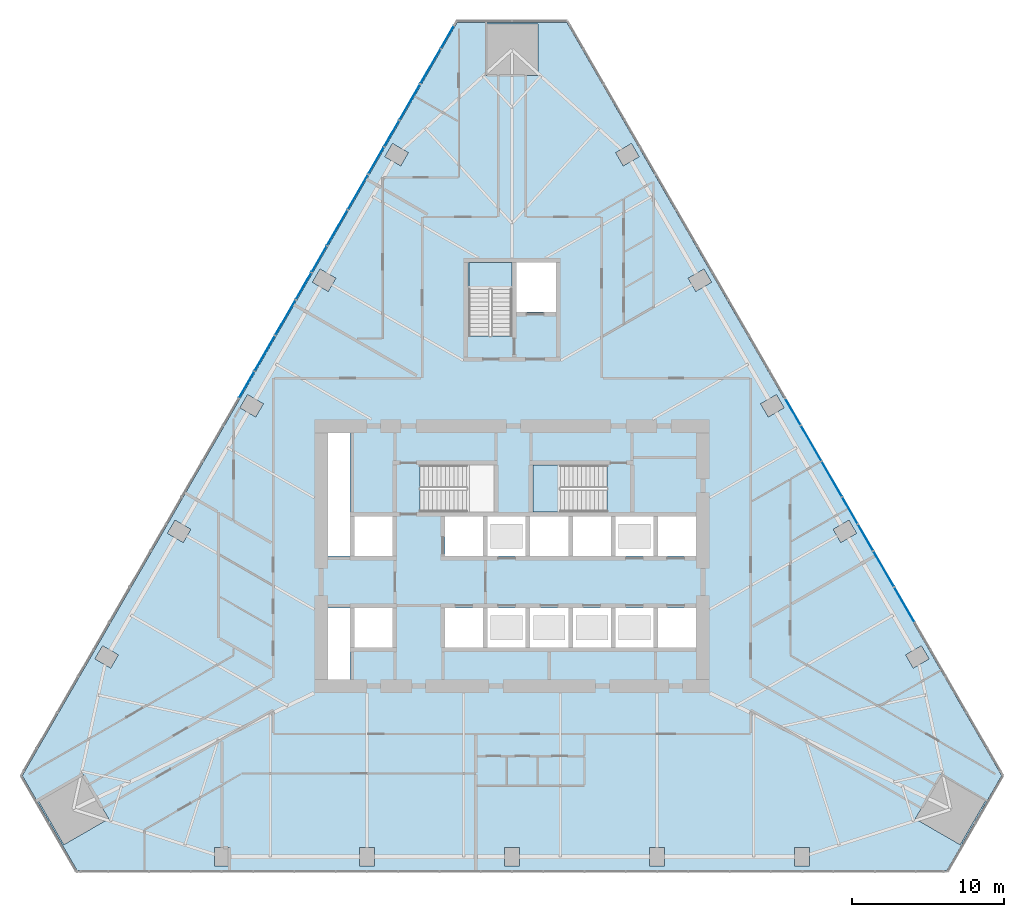
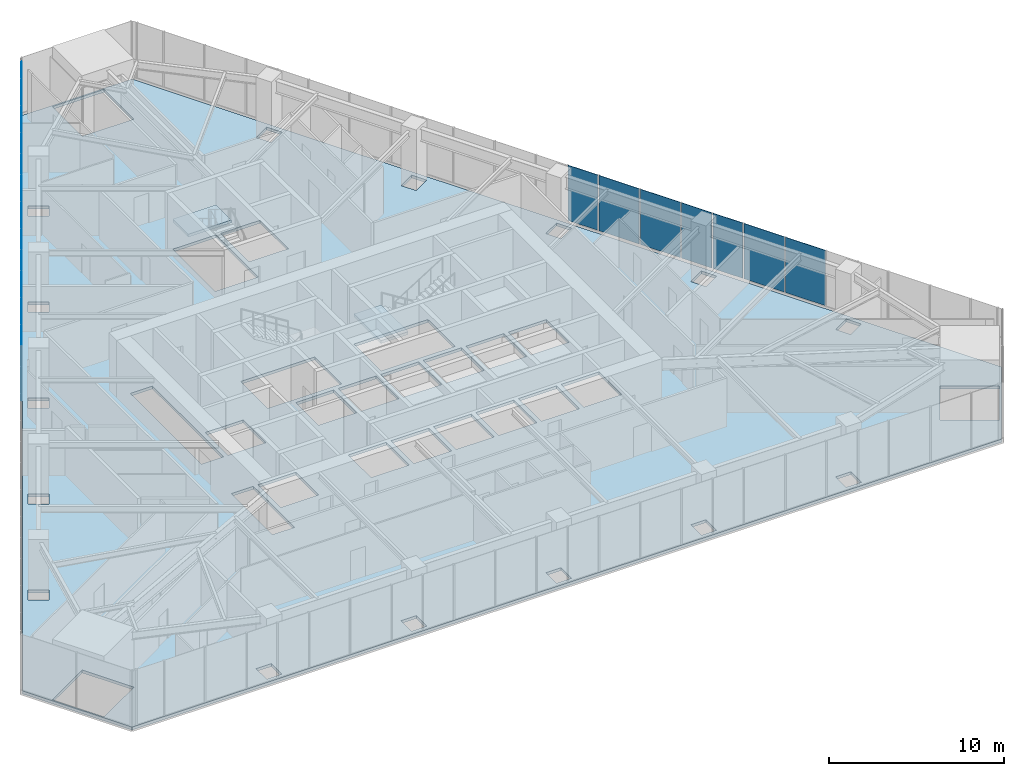
# One storey, part 16 of 26: 19 plates, 3 slabs, 4 elements without a shape of their own.
"""IFC4 building model written with IfcOpenShell, lengths in metres."""

import ifcopenshell
import ifcopenshell.guid

model = None  # the IFC model being written
_history = None  # IfcOwnerHistory: only IFC2X3 demands one
_inside = {}  # id of a spatial element -> (the spatial element, [elements in it])
_under = {}  # id of a project, library or spatial element -> (it, [spatial elements below it])
_declared = {}  # id of a project -> (the project, [libraries it declares])
_typed = {}  # id of a type object -> (the type object, [elements of that type])
_made_of = {}  # id of a material, layer set ... -> (it, [elements and type objects made of it])


def new_model(schema):
    """Start an empty IFC model of exactly this schema.

    Asked for "IFC4X3", IfcOpenShell would pick the latest addendum, in which some entities
    have other attributes; the version numbers below select the first issue.
    IFC2X3 requires an IfcOwnerHistory on every rooted entity: one is made here for all.
    """
    global model, _history
    if schema == "IFC4X3":
        model = ifcopenshell.file(schema_version=(4, 3, 0, 0))
    else:
        model = ifcopenshell.file(schema=schema)
    _inside.clear()
    _under.clear()
    _declared.clear()
    _typed.clear()
    _made_of.clear()
    _history = None
    if model.schema == "IFC2X3":
        org = make("IfcOrganization", Name="unknown")
        user = make(
            "IfcPersonAndOrganization",
            ThePerson=make("IfcPerson", FamilyName="unknown"),
            TheOrganization=org,
        )
        app = make(
            "IfcApplication",
            ApplicationDeveloper=org,
            Version="unknown",
            ApplicationFullName="unknown",
            ApplicationIdentifier="unknown",
        )
        _history = make(
            "IfcOwnerHistory",
            OwningUser=user,
            OwningApplication=app,
            ChangeAction="ADDED",
            CreationDate=0,
        )
    return model


def make(cls, **values):
    """One entity of the class cls with the attributes given. An attribute that is None is left unset."""
    return model.create_entity(
        cls, **{name: value for name, value in values.items() if value is not None}
    )


def rooted(cls, **values):
    """An entity with a GlobalId (a new one), such as an element, a storey or a relation."""
    return make(cls, GlobalId=ifcopenshell.guid.new(), OwnerHistory=_history, **values)


def si_unit(unit_type, name, prefix=None):
    """IfcSIUnit, for example si_unit("LENGTHUNIT", "METRE", prefix="MILLI")."""
    return make("IfcSIUnit", UnitType=unit_type, Prefix=prefix, Name=name)


def assignment(units):
    """IfcUnitAssignment: the units of a project."""
    return None if units is None else make("IfcUnitAssignment", Units=units)


def point(xyz):
    """IfcCartesianPoint."""
    return None if xyz is None else make("IfcCartesianPoint", Coordinates=xyz)


def direction(xyz):
    """IfcDirection."""
    return None if xyz is None else make("IfcDirection", DirectionRatios=xyz)


def frame(location, z_axis=None, x_axis=None):
    """IfcAxis2Placement3D, a coordinate frame: its origin and axes. An axis left out is left unset."""
    return make(
        "IfcAxis2Placement3D",
        Location=point(location),
        Axis=direction(z_axis),
        RefDirection=direction(x_axis),
    )


def origin():
    """The frame at (0, 0, 0) with its axes left unset."""
    return frame((0.0, 0.0, 0.0))


def place(relative_to, where):
    """IfcLocalPlacement: puts the frame where relative to a parent placement (None: the world)."""
    return make(
        "IfcLocalPlacement", PlacementRelTo=relative_to, RelativePlacement=where
    )


def context(
    kind, dimensions, precision=None, world=None, true_north=None, identifier=None
):
    """IfcGeometricRepresentationContext, for example the 3D "Model" context."""
    return make(
        "IfcGeometricRepresentationContext",
        ContextIdentifier=identifier,
        ContextType=kind,
        CoordinateSpaceDimension=dimensions,
        Precision=precision,
        WorldCoordinateSystem=world,
        TrueNorth=true_north,
    )


def subcontext(parent, identifier, kind, view, scale=None):
    """IfcGeometricRepresentationSubContext, for example "Body" below "Model"."""
    return make(
        "IfcGeometricRepresentationSubContext",
        ContextIdentifier=identifier,
        ContextType=kind,
        ParentContext=parent,
        TargetScale=scale,
        TargetView=view,
    )


def project(units=None, contexts=None):
    """IfcProject with its units and contexts."""
    return rooted(
        "IfcProject",
        Name="project",
        RepresentationContexts=contexts,
        UnitsInContext=assignment(units),
    )


def spatial(cls, under=None, at=None, **own):
    """A site, building, storey or space (cls), placed at a placement, below another one or the project."""
    s = rooted(cls, ObjectPlacement=at, **own)
    if under is not None:
        _under.setdefault(under.id(), (under, []))[1].append(s)
    return s


def polyline(points):
    """IfcPolyline through the points."""
    return make("IfcPolyline", Points=[point(p) for p in points])


def outline(outer, holes=None, kind="AREA"):
    """IfcArbitraryClosedProfileDef: a profile drawn as a closed curve; with holes, ...WithVoids."""
    if holes is None:
        return make("IfcArbitraryClosedProfileDef", ProfileType=kind, OuterCurve=outer)
    return make(
        "IfcArbitraryProfileDefWithVoids",
        ProfileType=kind,
        OuterCurve=outer,
        InnerCurves=holes,
    )


def extrude(swept, where, along, depth):
    """IfcExtrudedAreaSolid: the profile swept, set in the frame where, extruded along a direction by depth."""
    return make(
        "IfcExtrudedAreaSolid",
        SweptArea=swept,
        Position=where,
        ExtrudedDirection=direction(along),
        Depth=depth,
    )


def shape(context_of_items, identifier, shape_type, items):
    """IfcShapeRepresentation: the items that make up one representation, for example the "Body"."""
    return make(
        "IfcShapeRepresentation",
        ContextOfItems=context_of_items,
        RepresentationIdentifier=identifier,
        RepresentationType=shape_type,
        Items=items,
    )


def material(Name=None, Category=None):
    """IfcMaterial."""
    return make("IfcMaterial", Name=Name, Category=Category)


def layer(
    of_material, thickness, ventilated=None, Name=None, Category=None, Priority=None
):
    """IfcMaterialLayer: one layer of a wall or slab, of a material (None: an air gap)."""
    return make(
        "IfcMaterialLayer",
        Material=of_material,
        LayerThickness=thickness,
        IsVentilated=ventilated,
        Name=Name,
        Category=Category,
        Priority=Priority,
    )


def layer_set(layers, Name=None):
    """IfcMaterialLayerSet."""
    return make("IfcMaterialLayerSet", MaterialLayers=layers, LayerSetName=Name)


def made_of(thing, what):
    """Note that an element or type object is made of a material, layer set ...; save() writes the relation."""
    if what is not None:
        _made_of.setdefault(what.id(), (what, []))[1].append(thing)
    return thing


def type_object(cls, material=None, **own):
    """A type object (cls), such as IfcWallType, which elements share."""
    return made_of(rooted(cls, **own), material)


def element(
    cls,
    number,
    at=None,
    inside=None,
    cuts=None,
    type_object=None,
    material=None,
    context=None,
    identifier="Body",
    shape_type=None,
    held_by="IfcProductDefinitionShape",
    body=None,
    shapes=None,
    **own,
):
    """One element of the class cls, such as IfcWall. Its Tag is "e" and its number.

    at: its placement. inside: the storey or other place that contains it. cuts: it is an
    opening in that element (IfcRelVoidsElement). A single representation is given by context,
    identifier, shape_type and body (its items); several are given by shapes. held_by: the class
    of the entity that holds the representations. save() writes the other relations.
    """
    e = rooted(cls, Tag="e%d" % number, ObjectPlacement=at, **own)
    if body is not None:
        shapes = [shape(context, identifier, shape_type, body)]
    if shapes is not None:
        e.Representation = make(held_by, Representations=shapes)
    if inside is not None:
        _inside.setdefault(inside.id(), (inside, []))[1].append(e)
    if cuts is not None:
        rooted(
            "IfcRelVoidsElement", RelatingBuildingElement=cuts, RelatedOpeningElement=e
        )
    if type_object is not None:
        _typed.setdefault(type_object.id(), (type_object, []))[1].append(e)
    return made_of(e, material)


def aggregate(whole, parts):
    """IfcRelAggregates: a whole, such as a stair, and the parts it consists of."""
    return rooted("IfcRelAggregates", RelatingObject=whole, RelatedObjects=parts)


def save(model, path):
    """Write the relations noted so far, then the file.

    IfcRelAggregates (storeys below a building ...), IfcRelContainedInSpatialStructure (elements
    in a storey), IfcRelDefinesByType, IfcRelAssociatesMaterial and IfcRelDeclares: one each for
    every whole, place, type object, material and project.
    """
    for whole, parts in _under.values():
        aggregate(whole, parts)
    for where, things in _inside.values():
        rooted(
            "IfcRelContainedInSpatialStructure",
            RelatedElements=things,
            RelatingStructure=where,
        )
    for kind, things in _typed.values():
        rooted("IfcRelDefinesByType", RelatedObjects=things, RelatingType=kind)
    for what, things in _made_of.values():
        rooted("IfcRelAssociatesMaterial", RelatedObjects=things, RelatingMaterial=what)
    for by, libraries in _declared.values():
        rooted("IfcRelDeclares", RelatingContext=by, RelatedDefinitions=libraries)
    model.write(path)


model = new_model("IFC4")

# Units and contexts
model_context = context("Model", 3, precision=1e-05, world=origin(), true_north=direction((0.0, 1.0)))
body_context = subcontext(model_context, "Body", "Model", "MODEL_VIEW")
ifc_project = project(units=[si_unit("LENGTHUNIT", "METRE"), si_unit("AREAUNIT", "SQUARE_METRE"), si_unit("VOLUMEUNIT", "CUBIC_METRE"), si_unit("PLANEANGLEUNIT", "RADIAN"), si_unit("MASSUNIT", "GRAM", prefix="KILO")], contexts=[model_context])

# Site, building, storey
site_placement = place(None, origin())
site = spatial("IfcSite", under=ifc_project, at=site_placement, CompositionType="ELEMENT")
building_placement = place(site_placement, origin())
building = spatial("IfcBuilding", under=site, at=building_placement, Name="Firuza Gate Tower and Library", CompositionType="ELEMENT")
storey_placement = place(building_placement, frame((0.0, 0.0, 65.199951171875)))
storey = spatial("IfcBuildingStorey", under=building, at=storey_placement, Name="L14", CompositionType="ELEMENT", Elevation=65.199951171875)

# Slab
ifc_material_1 = material(Name="Concrete C40/50", Category="concrete")
ifc_layer_1 = layer(ifc_material_1, 0.199951171875)
ifc_layer_set_1 = layer_set([ifc_layer_1], Name="Composite floor slab 200 C40/50")
slab_type_1 = type_object("IfcSlabType", Name="Composite floor slab 200 C40/50", PredefinedType="FLOOR", material=ifc_layer_set_1)
slab_1_placement = place(storey_placement, frame((0.0, 0.0, -0.199951171875)))
element("IfcSlab", 1, at=slab_1_placement, inside=storey, type_object=slab_type_1, Name="Floor slab L14", PredefinedType="FLOOR", context=body_context, shape_type="SweptSolid", body=[
    extrude(outline(polyline([(42.796630859375, 60.564208984375), (46.396728515625, 54.328857421875), (103.603271484375, 54.328857421875), (107.203369140625, 60.564208984375), (78.60009765625, 110.106689453125), (71.39990234375, 110.106689453125), (42.796630859375, 60.564208984375)]), holes=[polyline([(55.43115234375, 54.62890625), (55.43115234375, 55.828857421875), (56.43115234375, 55.828857421875), (56.43115234375, 54.62890625), (55.43115234375, 54.62890625)]), polyline([(64.965576171875, 54.62890625), (64.965576171875, 55.828857421875), (65.965576171875, 55.828857421875), (65.965576171875, 54.62890625), (64.965576171875, 54.62890625)]), polyline([(43.833251953125, 58.96875), (46.77783203125, 60.6689453125), (48.477783203125, 57.724365234375), (45.533203125, 56.0244140625), (43.833251953125, 58.96875)]), polyline([(48.07373046875, 69.1044921875), (49.11279296875, 68.50439453125), (48.61279296875, 67.638427734375), (47.57373046875, 68.23828125), (48.07373046875, 69.1044921875)]), polyline([(64.35009765625, 66.89990234375), (62.89990234375, 66.89990234375), (62.89990234375, 71.60009765625), (64.35009765625, 71.60009765625), (64.35009765625, 66.89990234375)]), polyline([(75.89990234375, 69.0), (73.39990234375, 69.0), (73.39990234375, 71.60009765625), (75.89990234375, 71.60009765625), (75.89990234375, 69.0)]), polyline([(73.10009765625, 69.0), (70.60009765625, 69.0), (70.60009765625, 71.60009765625), (73.10009765625, 71.60009765625), (73.10009765625, 69.0)]), polyline([(64.64990234375, 69.0), (64.64990234375, 71.60009765625), (67.14990234375, 71.60009765625), (67.14990234375, 69.0), (64.64990234375, 69.0)]), polyline([(64.64990234375, 75.0), (64.64990234375, 77.60009765625), (67.14990234375, 77.60009765625), (67.14990234375, 75.0), (64.64990234375, 75.0)]), polyline([(75.89990234375, 75.0), (73.39990234375, 75.0), (73.39990234375, 77.60009765625), (75.89990234375, 77.60009765625), (75.89990234375, 75.0)]), polyline([(73.10009765625, 75.0), (70.60009765625, 75.0), (70.60009765625, 77.60009765625), (73.10009765625, 77.60009765625), (73.10009765625, 75.0)]), polyline([(52.8408203125, 77.361572265625), (53.880126953125, 76.761474609375), (53.380126953125, 75.8955078125), (52.3408203125, 76.495361328125), (52.8408203125, 77.361572265625)]), polyline([(62.89990234375, 75.0), (62.89990234375, 83.10009765625), (64.35009765625, 83.10009765625), (64.35009765625, 75.0), (62.89990234375, 75.0)]), polyline([(68.9404296875, 77.89990234375), (68.9404296875, 80.97998046875), (73.81005859375, 80.97998046875), (73.81005859375, 77.89990234375), (68.9404296875, 77.89990234375)]), polyline([(57.608154296875, 85.61865234375), (58.6474609375, 85.0185546875), (58.1474609375, 84.152587890625), (57.108154296875, 84.75244140625), (57.608154296875, 85.61865234375)]), polyline([(72.159912109375, 89.470458984375), (72.159912109375, 94.300048828125), (75.0, 94.300048828125), (75.0, 89.470458984375), (72.159912109375, 89.470458984375)]), polyline([(62.375244140625, 93.875732421875), (63.41455078125, 93.275634765625), (62.91455078125, 92.40966796875), (61.875244140625, 93.009521484375), (62.375244140625, 93.875732421875)]), polyline([(68.181884765625, 101.53271484375), (67.681884765625, 100.666748046875), (66.642578125, 101.2666015625), (67.142578125, 102.1328125), (68.181884765625, 101.53271484375)]), polyline([(76.699951171875, 106.606689453125), (73.300048828125, 106.606689453125), (73.300048828125, 110.0068359375), (76.699951171875, 110.0068359375), (76.699951171875, 106.606689453125)]), polyline([(93.56884765625, 54.62890625), (93.56884765625, 55.828857421875), (94.56884765625, 55.828857421875), (94.56884765625, 54.62890625), (93.56884765625, 54.62890625)]), polyline([(74.5, 54.62890625), (74.5, 55.828857421875), (75.5, 55.828857421875), (75.5, 54.62890625), (74.5, 54.62890625)]), polyline([(84.034423828125, 54.62890625), (84.034423828125, 55.828857421875), (85.034423828125, 55.828857421875), (85.034423828125, 54.62890625), (84.034423828125, 54.62890625)]), polyline([(104.466796875, 56.0244140625), (101.522216796875, 57.724365234375), (103.22216796875, 60.6689453125), (106.166748046875, 58.96875), (104.466796875, 56.0244140625)]), polyline([(102.42626953125, 68.23828125), (101.38720703125, 67.638427734375), (100.88720703125, 68.50439453125), (101.92626953125, 69.1044921875), (102.42626953125, 68.23828125)]), polyline([(78.699951171875, 69.0), (76.199951171875, 69.0), (76.199951171875, 71.60009765625), (78.699951171875, 71.60009765625), (78.699951171875, 69.0)]), polyline([(81.5, 69.0), (79.0, 69.0), (79.0, 71.60009765625), (81.5, 71.60009765625), (81.5, 69.0)]), polyline([(84.60009765625, 69.0), (84.60009765625, 71.60009765625), (87.10009765625, 71.60009765625), (87.10009765625, 69.0), (84.60009765625, 69.0)]), polyline([(81.800048828125, 69.0), (81.800048828125, 71.60009765625), (84.300048828125, 71.60009765625), (84.300048828125, 69.0), (81.800048828125, 69.0)]), polyline([(84.300048828125, 75.0), (81.800048828125, 75.0), (81.800048828125, 77.60009765625), (84.300048828125, 77.60009765625), (84.300048828125, 75.0)]), polyline([(87.10009765625, 75.0), (84.60009765625, 75.0), (84.60009765625, 77.60009765625), (87.10009765625, 77.60009765625), (87.10009765625, 75.0)]), polyline([(81.5, 75.0), (79.0, 75.0), (79.0, 77.60009765625), (81.5, 77.60009765625), (81.5, 75.0)]), polyline([(76.199951171875, 75.0), (76.199951171875, 77.60009765625), (78.699951171875, 77.60009765625), (78.699951171875, 75.0), (76.199951171875, 75.0)]), polyline([(96.619873046875, 75.8955078125), (96.119873046875, 76.761474609375), (97.1591796875, 77.361572265625), (97.6591796875, 76.495361328125), (96.619873046875, 75.8955078125)]), polyline([(81.259521484375, 77.89990234375), (76.389892578125, 77.89990234375), (76.389892578125, 80.97998046875), (81.259521484375, 80.97998046875), (81.259521484375, 77.89990234375)]), polyline([(92.891845703125, 84.75244140625), (91.8525390625, 84.152587890625), (91.3525390625, 85.0185546875), (92.391845703125, 85.61865234375), (92.891845703125, 84.75244140625)]), polyline([(77.89990234375, 91.050048828125), (75.300048828125, 91.050048828125), (75.300048828125, 94.300048828125), (77.89990234375, 94.300048828125), (77.89990234375, 91.050048828125)]), polyline([(87.08544921875, 92.40966796875), (86.58544921875, 93.275634765625), (87.624755859375, 93.875732421875), (88.124755859375, 93.009521484375), (87.08544921875, 92.40966796875)]), polyline([(82.318115234375, 100.666748046875), (81.818115234375, 101.53271484375), (82.857421875, 102.1328125), (83.357421875, 101.2666015625), (82.318115234375, 100.666748046875)])]), origin(), (0.0, 0.0, 1.0), 0.199951171875),
])

# Curtain wall, plates
ifc_material_2 = material(Name="Aluminium 6063-T6", Category="aluminium")
ifc_layer_2 = layer(ifc_material_2, 0.14990234375)
ifc_layer_set_2 = layer_set([ifc_layer_2], Name="Unitised curtain wall, offices")
curtain_wall_type = type_object("IfcCurtainWallType", Name="Unitised curtain wall, offices", PredefinedType="NOTDEFINED", material=ifc_layer_set_2)
placement_1 = place(storey_placement, origin())
curtain_wall_1 = element("IfcCurtainWall", 2, at=placement_1, inside=storey, type_object=curtain_wall_type, Name="CW1 L14 E face", PredefinedType="NOTDEFINED")
ifc_material_3 = material(Name="Fritted glass", Category="glass")
ifc_layer_3 = layer(ifc_material_3, 0.030029296875)
ifc_layer_set_3 = layer_set([ifc_layer_3], Name="Fritted glass unit, offices")
plate_type_1 = type_object("IfcPlateType", Name="Fritted glass unit, offices", PredefinedType="CURTAIN_PANEL", material=ifc_layer_set_3)
plate_1_placement = place(storey_placement, frame((98.751708984375, 75.383056640625, 0.150146484375), z_axis=(0.866052515552, 0.499953038101, 0.0), x_axis=(-0.499953038101, 0.866052515552, 0.0)))
plate_1 = element("IfcPlate", 3, at=plate_1_placement, type_object=plate_type_1, Name="Glass unit", PredefinedType="CURTAIN_PANEL", context=body_context, shape_type="SweptSolid", body=[
    extrude(outline(polyline([(0.0, 0.0), (1.9552617706112319, 0.0), (1.9552617706112319, 3.849853515625), (0.0, 3.849853515625), (0.0, 0.0)])), origin(), (0.0, 0.0, -1.0), 0.030029296875),
])
plate_2_placement = place(storey_placement, frame((97.734130859375, 77.1455078125, 0.150146484375), z_axis=(0.866023728021, 0.500002902497, 0.0), x_axis=(-0.500002902497, 0.866023728021, 0.0)))
plate_2 = element("IfcPlate", 4, at=plate_2_placement, type_object=plate_type_1, Name="Glass unit", PredefinedType="CURTAIN_PANEL", context=body_context, shape_type="SweptSolid", body=[
    extrude(outline(polyline([(0.0, 0.0), (1.984363480782303, 0.0), (1.984363480782303, 3.849853515625), (0.0, 3.849853515625), (0.0, 0.0)])), origin(), (0.0, 0.0, -1.0), 0.030029296875),
])
plate_3_placement = place(storey_placement, frame((93.984375, 83.64013671875, 0.150146484375), z_axis=(0.866022523296, 0.500004989119, 0.0), x_axis=(-0.500004989119, 0.866022523296, 0.0)))
plate_3 = element("IfcPlate", 5, at=plate_3_placement, type_object=plate_type_1, Name="Glass unit", PredefinedType="CURTAIN_PANEL", context=body_context, shape_type="SweptSolid", body=[
    extrude(outline(polyline([(0.0, 0.0), (1.969706908294862, 0.0), (1.969706908294862, 3.849853515625), (0.0, 3.849853515625), (0.0, 0.0)])), origin(), (0.0, 0.0, -1.0), 0.030029296875),
])

curtain_wall_2 = element("IfcCurtainWall", 6, at=placement_1, inside=storey, type_object=curtain_wall_type, Name="CW1 L14 W face", PredefinedType="NOTDEFINED")
plate_4_placement = place(storey_placement, frame((71.158203125, 109.867919921875, 0.150146484375), z_axis=(-0.865992196602, 0.500057512117, 0.0), x_axis=(-0.500057512117, -0.865992196602, 0.0)))
plate_4 = element("IfcPlate", 7, at=plate_4_placement, type_object=plate_type_1, Name="Glass unit", PredefinedType="CURTAIN_PANEL", context=body_context, shape_type="SweptSolid", body=[
    extrude(outline(polyline([(0.0, 0.0), (1.6819354429125748, 0.0), (1.6819354429125748, 3.849853515625), (0.0, 3.849853515625), (0.0, 0.0)])), origin(), (0.0, 0.0, -1.0), 0.030029296875),
])
plate_5_placement = place(storey_placement, frame((67.5595703125, 103.63525390625, 0.150146484375), z_axis=(-0.866082951075, 0.49990031192, 0.0), x_axis=(-0.49990031192, -0.866082951075, 0.0)))
plate_5 = element("IfcPlate", 8, at=plate_5_placement, type_object=plate_type_1, Name="Glass unit", PredefinedType="CURTAIN_PANEL", context=body_context, shape_type="SweptSolid", body=[
    extrude(outline(polyline([(0.0, 0.0), (1.9408166400682352, 0.0), (1.9408166400682352, 3.849853515625), (0.0, 3.849853515625), (0.0, 0.0)])), origin(), (0.0, 0.0, -1.0), 0.030029296875),
])
plate_6_placement = place(storey_placement, frame((66.54931640625, 101.885009765625, 0.150146484375), z_axis=(-0.866016731412, 0.500015020689, 0.0), x_axis=(-0.500015020689, -0.866016731412, 0.0)))
plate_6 = element("IfcPlate", 9, at=plate_6_placement, type_object=plate_type_1, Name="Glass unit", PredefinedType="CURTAIN_PANEL", context=body_context, shape_type="SweptSolid", body=[
    extrude(outline(polyline([(0.0, 0.0), (1.9984751193015504, 0.0), (1.9984751193015504, 3.849853515625), (0.0, 3.849853515625), (0.0, 0.0)])), origin(), (0.0, 0.0, -1.0), 0.030029296875),
])
plate_7_placement = place(storey_placement, frame((62.79248046875, 95.378173828125, 0.150146484375), z_axis=(-0.865998449813, 0.500046682742, 0.0), x_axis=(-0.500046682742, -0.865998449813, 0.0)))
plate_7 = element("IfcPlate", 10, at=plate_7_placement, type_object=plate_type_1, Name="Glass unit", PredefinedType="CURTAIN_PANEL", context=body_context, shape_type="SweptSolid", body=[
    extrude(outline(polyline([(0.0, 0.0), (1.9553838408900117, 0.0), (1.9553838408900117, 3.849853515625), (0.0, 3.849853515625), (0.0, 0.0)])), origin(), (0.0, 0.0, -1.0), 0.030029296875),
])
plate_8_placement = place(storey_placement, frame((61.77490234375, 93.615478515625, 0.150146484375), z_axis=(-0.865992964694, 0.500056181943, 0.0), x_axis=(-0.500056181943, -0.865992964694, 0.0)))
plate_8 = element("IfcPlate", 11, at=plate_8_placement, type_object=plate_type_1, Name="Glass unit", PredefinedType="CURTAIN_PANEL", context=body_context, shape_type="SweptSolid", body=[
    extrude(outline(polyline([(0.0, 0.0), (1.984152052963168, 0.0), (1.984152052963168, 3.849853515625), (0.0, 3.849853515625), (0.0, 0.0)])), origin(), (0.0, 0.0, -1.0), 0.030029296875),
])
plate_9_placement = place(storey_placement, frame((58.025146484375, 87.12109375, 0.150146484375), z_axis=(-0.866022523296, 0.500004989119, 0.0), x_axis=(-0.500004989119, -0.866022523296, 0.0)))
plate_9 = element("IfcPlate", 12, at=plate_9_placement, type_object=plate_type_1, Name="Glass unit", PredefinedType="CURTAIN_PANEL", context=body_context, shape_type="SweptSolid", body=[
    extrude(outline(polyline([(0.0, 0.0), (1.969706908294862, 0.0), (1.969706908294862, 3.849853515625), (0.0, 3.849853515625), (0.0, 0.0)])), origin(), (0.0, 0.0, -1.0), 0.030029296875),
])

# Plate
ifc_material_4 = material(Name="Glazed ceramic tile")
ifc_layer_4 = layer(ifc_material_4, 0.030029296875)
ifc_layer_set_4 = layer_set([ifc_layer_4], Name="Opaque ceramic panel, offices")
plate_type_2 = type_object("IfcPlateType", Name="Opaque ceramic panel, offices", PredefinedType="CURTAIN_PANEL", material=ifc_layer_set_4)
plate_10_placement = place(storey_placement, frame((101.46923828125, 70.676025390625, 0.150146484375), z_axis=(0.866058154973, 0.499943268986, 0.0), x_axis=(-0.499943268986, 0.866058154973, 0.0)))
plate_10 = element("IfcPlate", 13, at=plate_10_placement, type_object=plate_type_2, Name="Opaque ceramic panel", PredefinedType="CURTAIN_PANEL", context=body_context, shape_type="SweptSolid", body=[
    extrude(outline(polyline([(0.0, 0.0), (2.616019475124352, 0.0), (2.616019475124352, 3.849853515625), (0.0, 3.849853515625), (0.0, 0.0)])), origin(), (0.0, 0.0, -1.0), 0.030029296875),
])

plate_11_placement = place(storey_placement, frame((100.121337890625, 73.0107421875, 0.150146484375), z_axis=(0.866031171652, 0.499990009627, 0.0), x_axis=(-0.499990009627, 0.866031171652, 0.0)))
plate_11 = element("IfcPlate", 14, at=plate_11_placement, type_object=plate_type_2, Name="Opaque ceramic panel", PredefinedType="CURTAIN_PANEL", context=body_context, shape_type="SweptSolid", body=[
    extrude(outline(polyline([(0.0, 0.0), (2.659232820952968, 0.0), (2.659232820952968, 3.849853515625001), (0.0, 3.849853515625001), (0.0, 0.0)])), origin(), (0.0, 0.0, -1.0), 0.030029296875),
])

plate_12_placement = place(storey_placement, frame((96.701904296875, 78.93310546875, 0.150146484375), z_axis=(0.866075853571, 0.499912608224, 0.0), x_axis=(-0.499912608224, 0.866075853571, 0.0)))
plate_12 = element("IfcPlate", 15, at=plate_12_placement, type_object=plate_type_2, Name="Opaque ceramic panel", PredefinedType="CURTAIN_PANEL", context=body_context, shape_type="SweptSolid", body=[
    extrude(outline(polyline([(0.0, 0.0), (2.6303425531164915, 0.0), (2.6303425531164915, 3.849853515625), (0.0, 3.849853515625), (0.0, 0.0)])), origin(), (0.0, 0.0, -1.0), 0.030029296875),
])

plate_13_placement = place(storey_placement, frame((95.346923828125, 81.2802734375, 0.150146484375), z_axis=(0.86601342167, 0.500020753057, 0.0), x_axis=(-0.500020753057, 0.86601342167, 0.0)))
plate_13 = element("IfcPlate", 16, at=plate_13_placement, type_object=plate_type_2, Name="Opaque ceramic panel", PredefinedType="CURTAIN_PANEL", context=body_context, shape_type="SweptSolid", body=[
    extrude(outline(polyline([(0.0, 0.0), (2.6449097513223254, 0.0), (2.6449097513223254, 3.849853515625), (0.0, 3.849853515625), (0.0, 0.0)])), origin(), (0.0, 0.0, -1.0), 0.030029296875),
])

aggregate(curtain_wall_1, [plate_10, plate_11, plate_1, plate_2, plate_12, plate_13, plate_3])

plate_14_placement = place(storey_placement, frame((70.277099609375, 108.342041015625, 0.150146484375), z_axis=(-0.866057436843, 0.499944513011, 0.0), x_axis=(-0.499944513011, -0.866057436843, 0.0)))
plate_14 = element("IfcPlate", 17, at=plate_14_placement, type_object=plate_type_2, Name="Opaque ceramic panel", PredefinedType="CURTAIN_PANEL", context=body_context, shape_type="SweptSolid", body=[
    extrude(outline(polyline([(0.0, 0.0), (2.6013629023418336, 0.0), (2.6013629023418336, 3.849853515625), (0.0, 3.849853515625), (0.0, 0.0)])), origin(), (0.0, 0.0, -1.0), 0.030029296875),
])

plate_15_placement = place(storey_placement, frame((68.9365234375, 106.019775390625, 0.150146484375), z_axis=(-0.86600919026, 0.500028081597, 0.0), x_axis=(-0.500028081597, -0.86600919026, 0.0)))
plate_15 = element("IfcPlate", 18, at=plate_15_placement, type_object=plate_type_2, Name="Opaque ceramic panel", PredefinedType="CURTAIN_PANEL", context=body_context, shape_type="SweptSolid", body=[
    extrude(outline(polyline([(0.0, 0.0), (2.67367796270729, 0.0), (2.67367796270729, 3.849853515625), (0.0, 3.849853515625), (0.0, 0.0)])), origin(), (0.0, 0.0, -1.0), 0.030029296875),
])

plate_16_placement = place(storey_placement, frame((65.510009765625, 100.0849609375, 0.150146484375), z_axis=(-0.866034826131, 0.499983679662, 0.0), x_axis=(-0.499983679662, -0.866034826131, 0.0)))
plate_16 = element("IfcPlate", 19, at=plate_16_placement, type_object=plate_type_2, Name="Opaque ceramic panel", PredefinedType="CURTAIN_PANEL", context=body_context, shape_type="SweptSolid", body=[
    extrude(outline(polyline([(0.0, 0.0), (2.615808037992754, 0.0), (2.615808037992754, 3.849853515625), (0.0, 3.849853515625), (0.0, 0.0)])), origin(), (0.0, 0.0, -1.0), 0.030029296875),
])

plate_17_placement = place(storey_placement, frame((64.162109375, 97.750244140625, 0.150146484375), z_axis=(-0.866031171652, 0.499990009627, 0.0), x_axis=(-0.499990009627, -0.866031171652, 0.0)))
plate_17 = element("IfcPlate", 20, at=plate_17_placement, type_object=plate_type_2, Name="Opaque ceramic panel", PredefinedType="CURTAIN_PANEL", context=body_context, shape_type="SweptSolid", body=[
    extrude(outline(polyline([(0.0, 0.0), (2.659232820952968, 0.0), (2.659232820952968, 3.849853515625001), (0.0, 3.849853515625001), (0.0, 0.0)])), origin(), (0.0, 0.0, -1.0), 0.030029296875),
])

plate_18_placement = place(storey_placement, frame((60.74267578125, 91.827880859375, 0.150146484375), z_axis=(-0.866012462029, 0.500022415107, 0.0), x_axis=(-0.500022415107, -0.866012462029, 0.0)))
plate_18 = element("IfcPlate", 21, at=plate_18_placement, type_object=plate_type_2, Name="Opaque ceramic panel", PredefinedType="CURTAIN_PANEL", context=body_context, shape_type="SweptSolid", body=[
    extrude(outline(polyline([(0.0, 0.0), (2.630253178934947, 0.0), (2.630253178934947, 3.849853515625), (0.0, 3.849853515625), (0.0, 0.0)])), origin(), (0.0, 0.0, -1.0), 0.030029296875),
])

plate_19_placement = place(storey_placement, frame((59.3876953125, 89.480712890625, 0.150146484375), z_axis=(-0.86601342167, 0.500020753057, 0.0), x_axis=(-0.500020753057, -0.86601342167, 0.0)))
plate_19 = element("IfcPlate", 22, at=plate_19_placement, type_object=plate_type_2, Name="Opaque ceramic panel", PredefinedType="CURTAIN_PANEL", context=body_context, shape_type="SweptSolid", body=[
    extrude(outline(polyline([(0.0, 0.0), (2.6449097513223254, 0.0), (2.6449097513223254, 3.849853515625), (0.0, 3.849853515625), (0.0, 0.0)])), origin(), (0.0, 0.0, -1.0), 0.030029296875),
])

aggregate(curtain_wall_2, [plate_4, plate_14, plate_15, plate_5, plate_6, plate_16, plate_17, plate_7, plate_8, plate_18, plate_19, plate_9])

# Stair, slab
ifc_material_5 = material(Name="Concrete C35/45", Category="concrete")
stair_type_1 = type_object("IfcStairType", Name="Exit stair ST5", PredefinedType="HALF_TURN_STAIR", material=ifc_material_5)
stair_1 = element("IfcStair", 23, at=placement_1, inside=storey, type_object=stair_type_1, Name="L14 Stair ST2", PredefinedType="HALF_TURN_STAIR")
ifc_material_6 = material(Name="Concrete C35/45", Category="concrete")
ifc_layer_5 = layer(ifc_material_6, 0.199951171875)
ifc_layer_set_5 = layer_set([ifc_layer_5], Name="Stair landing 200")
slab_type_2 = type_object("IfcSlabType", Name="Stair landing 200", PredefinedType="LANDING", material=ifc_layer_set_5)
placement_2 = place(storey_placement, frame((0.0, 0.0, 1.900146484375)))
slab_2 = element("IfcSlab", 24, at=placement_2, type_object=slab_type_2, Name="ST2 landing 1", PredefinedType="LANDING", context=body_context, shape_type="SweptSolid", body=[
    extrude(outline(polyline([(78.179931640625, 80.97998046875), (76.389892578125, 80.97998046875), (76.389892578125, 77.89990234375), (78.179931640625, 77.89990234375), (78.179931640625, 80.97998046875)])), origin(), (0.0, 0.0, 1.0), 0.199951171875),
])
aggregate(stair_1, [slab_2])

ifc_material_7 = material(Name="Concrete C35/45", Category="concrete")
stair_type_2 = type_object("IfcStairType", Name="Exit stair ST14", PredefinedType="HALF_TURN_STAIR", material=ifc_material_7)
stair_2 = element("IfcStair", 25, at=placement_1, inside=storey, type_object=stair_type_2, Name="L14 Stair ST3", PredefinedType="HALF_TURN_STAIR")
slab_3 = element("IfcSlab", 26, at=placement_2, type_object=slab_type_2, Name="ST3 landing 1", PredefinedType="LANDING", context=body_context, shape_type="SweptSolid", body=[
    extrude(outline(polyline([(75.0, 92.550048828125), (75.0, 94.300048828125), (72.159912109375, 94.300048828125), (72.159912109375, 92.550048828125), (75.0, 92.550048828125)])), origin(), (0.0, 0.0, 1.0), 0.199951171875),
])
aggregate(stair_2, [slab_3])

save(model, "model.ifc")
